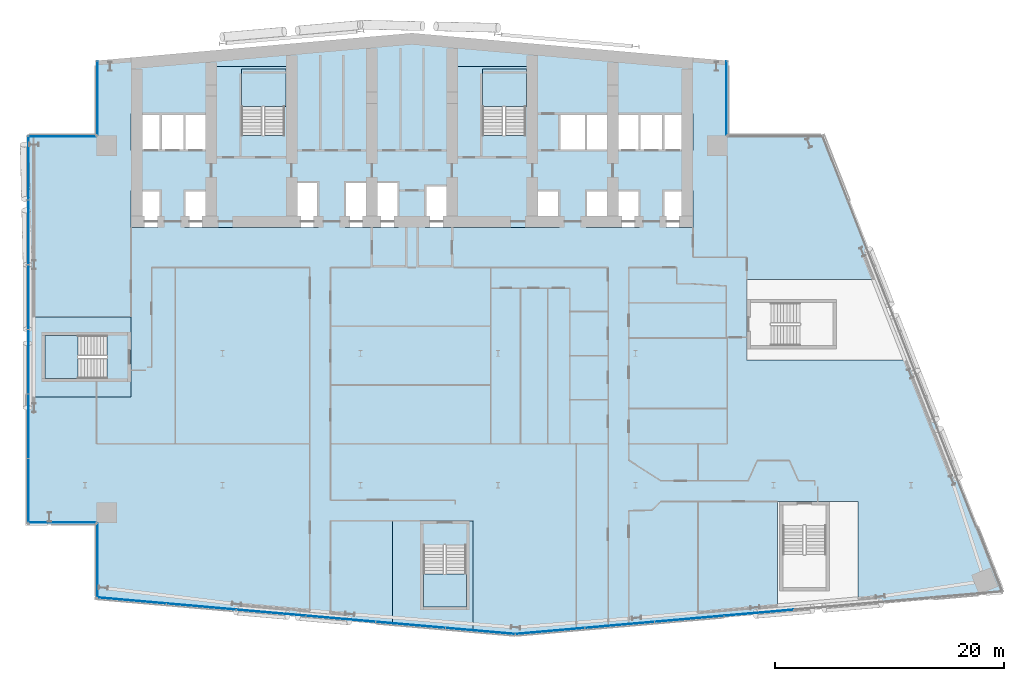
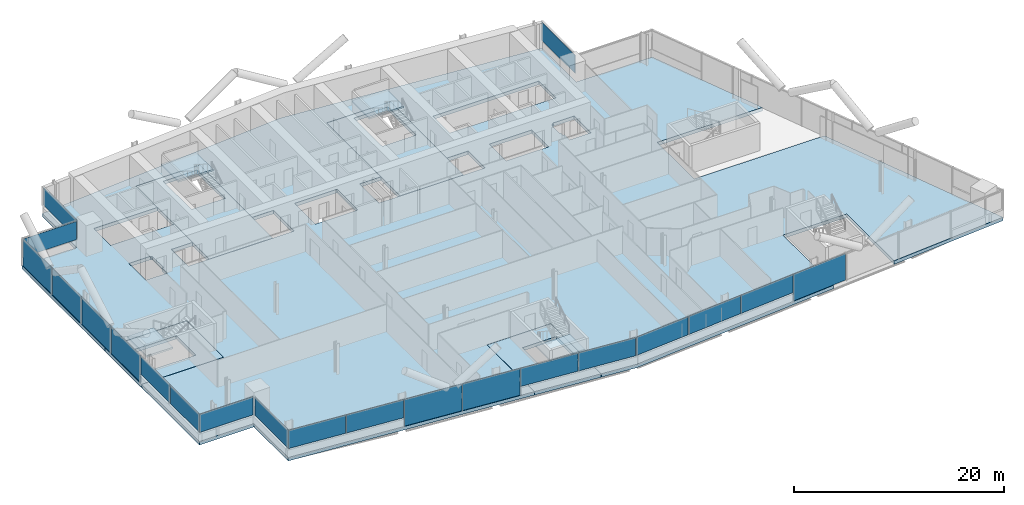
# One storey, part 12 of 27: 21 plates, 9 slabs, 12 elements without a shape of their own.
"""IFC4 building model written with IfcOpenShell, lengths in metres."""

from ifc_helpers import new_model, si_unit, direction, frame, origin, origin_2d, place, context, subcontext, project, spatial, polyline, rectangle, outline, extrude, material, layer, layer_set, type_object, element, aggregate, save


model = new_model("IFC4")

# Units and contexts
model_context = context("Model", 3, precision=1e-05, world=origin(), true_north=direction((0.0, 1.0)))
body_context = subcontext(model_context, "Body", "Model", "MODEL_VIEW")
ifc_project = project(units=[si_unit("LENGTHUNIT", "METRE"), si_unit("AREAUNIT", "SQUARE_METRE"), si_unit("VOLUMEUNIT", "CUBIC_METRE"), si_unit("PLANEANGLEUNIT", "RADIAN"), si_unit("MASSUNIT", "GRAM", prefix="KILO")], contexts=[model_context])

# Site, building, storey
site_placement = place(None, origin())
site = spatial("IfcSite", under=ifc_project, at=site_placement, CompositionType="ELEMENT")
building_placement = place(site_placement, origin())
building = spatial("IfcBuilding", under=site, at=building_placement, Name="Wharfspan Tower", CompositionType="ELEMENT")
storey_placement = place(building_placement, frame((0.0, 0.0, 118.300049)))
storey = spatial("IfcBuildingStorey", under=building, at=storey_placement, Name="L27", CompositionType="ELEMENT", Elevation=118.300049)

# Curtain wall, plates
ifc_material_1 = material(Name="Aluminium 6063-T6", Category="aluminium")
curtain_wall_type_1 = type_object("IfcCurtainWallType", Name="CURTAIN WALL FACETED FRONT", PredefinedType="NOTDEFINED", material=ifc_material_1)
curtain_wall_1_placement = place(storey_placement, origin())
curtain_wall_1 = element("IfcCurtainWall", 1, at=curtain_wall_1_placement, inside=storey, type_object=curtain_wall_type_1, Name="Curtain wall S1", PredefinedType="NOTDEFINED")
ifc_material_2 = material(Name="Glass clear low-iron double glazing", Category="glass")
ifc_layer_1 = layer(ifc_material_2, 0.040039)
ifc_layer_set_1 = layer_set([ifc_layer_1], Name="Glass clear low-iron double glazing")
plate_type_1 = type_object("IfcPlateType", Name="GLASS PANEL FACETED FRONT 40", PredefinedType="CURTAIN_PANEL", material=ifc_layer_set_1)
plate_1_placement = place(storey_placement, frame((16.061768, 1.467529, 1.0), z_axis=(0.0, 0.0, 1.0), x_axis=(0.996198, -0.087156, 0.0)))
plate_1 = element("IfcPlate", 2, at=plate_1_placement, type_object=plate_type_1, Name="Curtain wall S1 panel 1", PredefinedType="CURTAIN_PANEL", context=body_context, shape_type="SweptSolid", body=[
    extrude(rectangle(XDim=6.016602, YDim=0.040039, at=origin_2d()), origin(), (0.0, 0.0, 1.0), 2.120117),
])
plate_2_placement = place(storey_placement, frame((22.130127, 0.936523, 1.0), z_axis=(0.0, 0.0, 1.0), x_axis=(0.996198, -0.087156, 0.0)))
plate_2 = element("IfcPlate", 3, at=plate_2_placement, type_object=plate_type_1, Name="Curtain wall S1 panel 2", PredefinedType="CURTAIN_PANEL", context=body_context, shape_type="SweptSolid", body=[
    extrude(rectangle(XDim=6.046631, YDim=0.040039, at=origin_2d()), origin(), (0.0, 0.0, 1.0), 2.120117),
])
plate_3_placement = place(storey_placement, frame((40.380127, -0.660156, 1.0), z_axis=(0.0, 0.0, 1.0), x_axis=(0.996198, -0.087156, 0.0)))
plate_3 = element("IfcPlate", 4, at=plate_3_placement, type_object=plate_type_1, Name="Curtain wall S1 panel 5", PredefinedType="CURTAIN_PANEL", context=body_context, shape_type="SweptSolid", body=[
    extrude(rectangle(XDim=6.046631, YDim=0.040039, at=origin_2d()), origin(), (0.0, 0.0, 1.0), 2.120117),
])
plate_4_placement = place(storey_placement, frame((46.44873, -1.191162, 1.0), z_axis=(0.0, 0.0, 1.0), x_axis=(0.996198, -0.087156, 0.0)))
plate_4 = element("IfcPlate", 5, at=plate_4_placement, type_object=plate_type_1, Name="Curtain wall S1 panel 6", PredefinedType="CURTAIN_PANEL", context=body_context, shape_type="SweptSolid", body=[
    extrude(rectangle(XDim=6.016602, YDim=0.040039, at=origin_2d()), origin(), (0.0, 0.0, 1.0), 2.120117),
])

curtain_wall_2_placement = place(storey_placement, origin())
curtain_wall_2 = element("IfcCurtainWall", 6, at=curtain_wall_2_placement, inside=storey, type_object=curtain_wall_type_1, Name="Curtain wall S2", PredefinedType="NOTDEFINED")
plate_5_placement = place(storey_placement, frame((52.54541, -1.19165, 1.0), z_axis=(0.0, 0.0, 1.0), x_axis=(0.996198, 0.087156, 0.0)))
plate_5 = element("IfcPlate", 7, at=plate_5_placement, type_object=plate_type_1, Name="Curtain wall S2 panel 1", PredefinedType="CURTAIN_PANEL", context=body_context, shape_type="SweptSolid", body=[
    extrude(rectangle(XDim=6.004639, YDim=0.040039, at=origin_2d()), origin(), (0.0, 0.0, 1.0), 2.120117),
])
plate_6_placement = place(storey_placement, frame((58.601807, -0.661621, 1.0), z_axis=(0.0, 0.0, 1.0), x_axis=(0.996198, 0.087156, 0.0)))
plate_6 = element("IfcPlate", 8, at=plate_6_placement, type_object=plate_type_1, Name="Curtain wall S2 panel 2", PredefinedType="CURTAIN_PANEL", context=body_context, shape_type="SweptSolid", body=[
    extrude(rectangle(XDim=6.034668, YDim=0.040039, at=origin_2d()), origin(), (0.0, 0.0, 1.0), 2.120117),
])
plate_7_placement = place(storey_placement, frame((64.67334, -0.130615, 1.0), z_axis=(0.0, 0.0, 1.0), x_axis=(0.996198, 0.087156, 0.0)))
plate_7 = element("IfcPlate", 9, at=plate_7_placement, type_object=plate_type_1, Name="Curtain wall S2 panel 3", PredefinedType="CURTAIN_PANEL", context=body_context, shape_type="SweptSolid", body=[
    extrude(rectangle(XDim=6.034668, YDim=0.040039, at=origin_2d()), origin(), (0.0, 0.0, 1.0), 2.120117),
])

# Curtain wall, plate
curtain_wall_type_2 = type_object("IfcCurtainWallType", Name="CURTAIN WALL PROW AND END", PredefinedType="NOTDEFINED", material=ifc_material_1)
curtain_wall_3_placement = place(storey_placement, origin())
curtain_wall_3 = element("IfcCurtainWall", 10, at=curtain_wall_3_placement, inside=storey, type_object=curtain_wall_type_2, Name="Curtain wall NRE-V", PredefinedType="NOTDEFINED")
ifc_layer_2 = layer(ifc_material_2, 0.040039)
ifc_layer_set_2 = layer_set([ifc_layer_2], Name="Glass clear low-iron double glazing")
plate_type_2 = type_object("IfcPlateType", Name="GLASS PANEL PROW AND END 40", PredefinedType="CURTAIN_PANEL", material=ifc_layer_set_2)
plate_8_placement = place(storey_placement, frame((67.919922, 45.262451, 1.0), z_axis=(0.0, 0.0, 1.0), x_axis=(0.0, 1.0, 0.0)))
plate_8 = element("IfcPlate", 11, at=plate_8_placement, type_object=plate_type_2, Name="Curtain wall NRE-V panel 1", PredefinedType="CURTAIN_PANEL", context=body_context, shape_type="SweptSolid", body=[
    extrude(rectangle(XDim=6.405029, YDim=0.040039, at=origin_2d()), origin(), (0.0, 0.0, 1.0), 2.120117),
])
aggregate(curtain_wall_3, [plate_8])

curtain_wall_4_placement = place(storey_placement, origin())
curtain_wall_4 = element("IfcCurtainWall", 12, at=curtain_wall_4_placement, inside=storey, type_object=curtain_wall_type_2, Name="Curtain wall NRW-V", PredefinedType="NOTDEFINED")
plate_9_placement = place(storey_placement, frame((13.080078, 45.262451, 1.0), z_axis=(0.0, 0.0, 1.0), x_axis=(0.0, -1.0, 0.0)))
plate_9 = element("IfcPlate", 13, at=plate_9_placement, type_object=plate_type_2, Name="Curtain wall NRW-V panel 1", PredefinedType="CURTAIN_PANEL", context=body_context, shape_type="SweptSolid", body=[
    extrude(rectangle(XDim=6.405029, YDim=0.040039, at=origin_2d()), origin(), (0.0, 0.0, 1.0), 2.120117),
])
aggregate(curtain_wall_4, [plate_9])

curtain_wall_5_placement = place(storey_placement, origin())
curtain_wall_5 = element("IfcCurtainWall", 14, at=curtain_wall_5_placement, inside=storey, type_object=curtain_wall_type_2, Name="Curtain wall NRW-H", PredefinedType="NOTDEFINED")
plate_10_placement = place(storey_placement, frame((10.0, 41.919922, 1.0), z_axis=(0.0, 0.0, 1.0), x_axis=(-1.0, 0.0, 0.0)))
plate_10 = element("IfcPlate", 15, at=plate_10_placement, type_object=plate_type_2, Name="Curtain wall NRW-H panel 1", PredefinedType="CURTAIN_PANEL", context=body_context, shape_type="SweptSolid", body=[
    extrude(rectangle(XDim=5.879883, YDim=0.040039, at=origin_2d()), origin(), (0.0, 0.0, 1.0), 2.120117),
])
aggregate(curtain_wall_5, [plate_10])

# Curtain wall, plates
curtain_wall_6_placement = place(storey_placement, origin())
curtain_wall_6 = element("IfcCurtainWall", 16, at=curtain_wall_6_placement, inside=storey, type_object=curtain_wall_type_2, Name="Curtain wall W", PredefinedType="NOTDEFINED")
plate_11_placement = place(storey_placement, frame((7.080078, 16.649902, 1.0), z_axis=(0.0, 0.0, 1.0), x_axis=(0.0, -1.0, 0.0)))
plate_11 = element("IfcPlate", 17, at=plate_11_placement, type_object=plate_type_2, Name="Curtain wall W panel 5", PredefinedType="CURTAIN_PANEL", context=body_context, shape_type="SweptSolid", body=[
    extrude(rectangle(XDim=5.573242, YDim=0.040039, at=origin_2d()), origin(), (0.0, 0.0, 1.0), 2.120117),
])
plate_12_placement = place(storey_placement, frame((7.080078, 11.031738, 1.0), z_axis=(0.0, 0.0, 1.0), x_axis=(0.0, -1.0, 0.0)))
plate_12 = element("IfcPlate", 18, at=plate_12_placement, type_object=plate_type_2, Name="Curtain wall W panel 6", PredefinedType="CURTAIN_PANEL", context=body_context, shape_type="SweptSolid", body=[
    extrude(rectangle(XDim=5.543213, YDim=0.040039, at=origin_2d()), origin(), (0.0, 0.0, 1.0), 2.120117),
])

# Curtain wall, plate
curtain_wall_7_placement = place(storey_placement, origin())
curtain_wall_7 = element("IfcCurtainWall", 19, at=curtain_wall_7_placement, inside=storey, type_object=curtain_wall_type_2, Name="Curtain wall NFW-H", PredefinedType="NOTDEFINED")
plate_13_placement = place(storey_placement, frame((10.0, 8.280029, 1.0), z_axis=(0.0, 0.0, 1.0), x_axis=(1.0, 0.0, 0.0)))
plate_13 = element("IfcPlate", 20, at=plate_13_placement, type_object=plate_type_2, Name="Curtain wall NFW-H panel 1", PredefinedType="CURTAIN_PANEL", context=body_context, shape_type="SweptSolid", body=[
    extrude(rectangle(XDim=5.879883, YDim=0.040039, at=origin_2d()), origin(), (0.0, 0.0, 1.0), 2.120117),
])
aggregate(curtain_wall_7, [plate_13])

curtain_wall_8_placement = place(storey_placement, origin())
curtain_wall_8 = element("IfcCurtainWall", 21, at=curtain_wall_8_placement, inside=storey, type_object=curtain_wall_type_2, Name="Curtain wall NFW-V", PredefinedType="NOTDEFINED")
plate_14_placement = place(storey_placement, frame((13.080078, 4.9375, 1.0), z_axis=(0.0, 0.0, 1.0), x_axis=(0.0, -1.0, 0.0)))
plate_14 = element("IfcPlate", 22, at=plate_14_placement, type_object=plate_type_2, Name="Curtain wall NFW-V panel 1", PredefinedType="CURTAIN_PANEL", context=body_context, shape_type="SweptSolid", body=[
    extrude(rectangle(XDim=6.405029, YDim=0.040039, at=origin_2d()), origin(), (0.0, 0.0, 1.0), 2.120117),
])
aggregate(curtain_wall_8, [plate_14])

# Plate
ifc_material_3 = material(Name="Aluminium composite opaque insulated panel", Category="aluminium")
ifc_layer_3 = layer(ifc_material_3, 0.040039)
ifc_layer_set_3 = layer_set([ifc_layer_3], Name="Aluminium composite opaque insulated panel")
plate_type_3 = type_object("IfcPlateType", Name="INFILL PANEL FACETED FRONT OPAQUE 40", PredefinedType="SHEET", material=ifc_layer_set_3)
plate_15_placement = place(storey_placement, frame((28.213623, 0.404297, 0.0), z_axis=(0.0, 0.0, 1.0), x_axis=(0.996198, -0.087156, 0.0)))
plate_15 = element("IfcPlate", 23, at=plate_15_placement, type_object=plate_type_3, Name="Curtain wall S1 panel 3", PredefinedType="SHEET", context=body_context, shape_type="SweptSolid", body=[
    extrude(rectangle(XDim=6.046631, YDim=0.040039, at=origin_2d()), origin(), (0.0, 0.0, 1.0), 3.120117),
])

plate_16_placement = place(storey_placement, frame((34.296875, -0.12793, 0.0), z_axis=(0.0, 0.0, 1.0), x_axis=(0.996198, -0.087156, 0.0)))
plate_16 = element("IfcPlate", 24, at=plate_16_placement, type_object=plate_type_3, Name="Curtain wall S1 panel 4", PredefinedType="SHEET", context=body_context, shape_type="SweptSolid", body=[
    extrude(rectangle(XDim=6.046631, YDim=0.040039, at=origin_2d()), origin(), (0.0, 0.0, 1.0), 3.120117),
])

aggregate(curtain_wall_1, [plate_1, plate_2, plate_15, plate_16, plate_3, plate_4])

plate_17_placement = place(storey_placement, frame((70.744873, 0.400635, 0.0), z_axis=(0.0, 0.0, 1.0), x_axis=(0.996198, 0.087156, 0.0)))
plate_17 = element("IfcPlate", 25, at=plate_17_placement, type_object=plate_type_3, Name="Curtain wall S2 panel 4", PredefinedType="SHEET", context=body_context, shape_type="SweptSolid", body=[
    extrude(rectangle(XDim=6.034668, YDim=0.040039, at=origin_2d()), origin(), (0.0, 0.0, 1.0), 3.120117),
])

aggregate(curtain_wall_2, [plate_5, plate_6, plate_7, plate_17])

ifc_layer_4 = layer(ifc_material_3, 0.040039)
ifc_layer_set_4 = layer_set([ifc_layer_4], Name="Aluminium composite opaque insulated panel")
plate_type_4 = type_object("IfcPlateType", Name="INFILL PANEL PROW AND END OPAQUE 40", PredefinedType="SHEET", material=ifc_layer_set_4)
plate_18_placement = place(storey_placement, frame((7.080078, 39.168213, 0.0), z_axis=(0.0, 0.0, 1.0), x_axis=(0.0, -1.0, 0.0)))
plate_18 = element("IfcPlate", 26, at=plate_18_placement, type_object=plate_type_4, Name="Curtain wall W panel 1", PredefinedType="SHEET", context=body_context, shape_type="SweptSolid", body=[
    extrude(rectangle(XDim=5.543213, YDim=0.040039, at=origin_2d()), origin(), (0.0, 0.0, 1.0), 3.120117),
])

plate_19_placement = place(storey_placement, frame((7.080078, 33.550049, 0.0), z_axis=(0.0, 0.0, 1.0), x_axis=(0.0, -1.0, 0.0)))
plate_19 = element("IfcPlate", 27, at=plate_19_placement, type_object=plate_type_4, Name="Curtain wall W panel 2", PredefinedType="SHEET", context=body_context, shape_type="SweptSolid", body=[
    extrude(rectangle(XDim=5.573242, YDim=0.040039, at=origin_2d()), origin(), (0.0, 0.0, 1.0), 3.120117),
])

plate_20_placement = place(storey_placement, frame((7.080078, 27.916748, 0.0), z_axis=(0.0, 0.0, 1.0), x_axis=(0.0, -1.0, 0.0)))
plate_20 = element("IfcPlate", 28, at=plate_20_placement, type_object=plate_type_4, Name="Curtain wall W panel 3", PredefinedType="SHEET", context=body_context, shape_type="SweptSolid", body=[
    extrude(rectangle(XDim=5.573242, YDim=0.040039, at=origin_2d()), origin(), (0.0, 0.0, 1.0), 3.120117),
])

plate_21_placement = place(storey_placement, frame((7.080078, 22.283447, 0.0), z_axis=(0.0, 0.0, 1.0), x_axis=(0.0, -1.0, 0.0)))
plate_21 = element("IfcPlate", 29, at=plate_21_placement, type_object=plate_type_4, Name="Curtain wall W panel 4", PredefinedType="SHEET", context=body_context, shape_type="SweptSolid", body=[
    extrude(rectangle(XDim=5.573242, YDim=0.040039, at=origin_2d()), origin(), (0.0, 0.0, 1.0), 3.120117),
])

aggregate(curtain_wall_6, [plate_18, plate_19, plate_20, plate_21, plate_11, plate_12])

# Slabs
ifc_material_4 = material(Name="Concrete C40/50", Category="concrete")
ifc_layer_5 = layer(ifc_material_4, 0.399902)
ifc_layer_set_5 = layer_set([ifc_layer_5], Name="Concrete C40/50")
slab_type_1 = type_object("IfcSlabType", Name="Post-tensioned flat slab 400", PredefinedType="FLOOR", material=ifc_layer_set_5)
slab_1_placement = place(storey_placement, frame((0.0, 0.0, -0.400146)))
element("IfcSlab", 30, at=slab_1_placement, inside=storey, type_object=slab_type_1, Name="Floor slab L27", PredefinedType="FLOOR", context=body_context, shape_type="SweptSolid", body=[
    extrude(outline(polyline([(38.800293, -0.582275), (38.800293, 8.427002), (45.820312, 8.427002), (45.820312, -1.196289), (49.5, -1.518311), (72.355957, 0.481445), (72.355957, 10.104736), (79.375977, 10.104736), (79.375977, 1.095459), (92.0, 2.199951), (84.04541, 22.439941), (69.68042, 22.439941), (69.68042, 29.459961), (81.286621, 29.459961), (76.358154, 42.0), (68.0, 42.0), (68.0, 48.524902), (40.5, 50.930908), (13.0, 48.524902), (13.0, 42.0), (7.0, 42.0), (7.0, 26.209961), (16.01001, 26.209961), (16.01001, 19.189941), (7.0, 19.189941), (7.0, 8.199951), (13.0, 8.199951), (13.0, 1.675049), (38.800293, -0.582275)]), holes=[polyline([(62.48999, 35.389893), (62.36499, 35.389893), (62.36499, 36.909912), (62.48999, 36.909912), (62.48999, 37.110107), (62.656738, 37.110107), (62.656738, 37.209961), (65.01001, 37.209961), (65.01001, 33.98999), (62.656738, 33.98999), (62.656738, 34.98999), (62.48999, 34.98999), (62.48999, 35.389893)]), polyline([(65.01001, 43.909912), (65.01001, 40.689941), (53.323242, 40.689941), (53.323242, 43.909912), (65.01001, 43.909912)]), polyline([(55.656738, 33.98999), (55.656738, 37.209961), (60.343262, 37.209961), (60.343262, 33.98999), (55.656738, 33.98999)]), polyline([(43.98999, 37.659912), (43.98999, 48.01001), (51.01001, 48.01001), (51.01001, 37.209961), (53.343262, 37.209961), (53.343262, 33.98999), (41.656738, 33.98999), (41.656738, 37.659912), (43.98999, 37.659912)]), polyline([(34.656738, 33.98999), (34.656738, 37.959961), (39.343262, 37.959961), (39.343262, 33.98999), (34.656738, 33.98999)]), polyline([(20.656738, 37.209961), (22.98999, 37.209961), (22.98999, 40.689941), (20.676758, 40.689941), (20.656738, 40.689941), (15.98999, 40.689941), (15.98999, 43.909912), (20.656738, 43.909912), (20.676758, 43.909912), (22.98999, 43.909912), (22.98999, 48.01001), (30.01001, 48.01001), (30.01001, 37.959961), (32.343262, 37.959961), (32.343262, 33.98999), (20.656738, 33.98999), (20.656738, 37.209961)]), polyline([(18.51001, 34.98999), (18.343262, 34.98999), (18.343262, 33.98999), (15.98999, 33.98999), (15.98999, 37.209961), (18.343262, 37.209961), (18.343262, 37.110107), (18.51001, 37.110107), (18.51001, 34.98999)])]), origin(), (0.0, 0.0, 1.0), 0.400146),
])
slab_2_placement = place(storey_placement, frame((0.0, 0.0, -0.400146)))
element("IfcSlab", 31, at=slab_2_placement, inside=storey, type_object=slab_type_1, Name="Core floor slab L27 part 1", PredefinedType="FLOOR", context=body_context, shape_type="SweptSolid", body=[
    extrude(outline(polyline([(16.0, 20.524902), (16.0, 24.875), (16.0, 26.199951), (7.0, 26.199951), (7.0, 19.199951), (16.0, 19.199951), (16.0, 20.524902)]), holes=[polyline([(13.9021, 20.824951), (13.9021, 20.824707), (13.9021, 20.824707), (13.901855, 20.824463), (13.901855, 20.824219), (13.901855, 20.824219), (13.901611, 20.823975), (13.901611, 20.82373), (13.901367, 20.823486), (13.901367, 20.823486), (13.901123, 20.823242), (13.900879, 20.823242), (13.900879, 20.823242), (13.900635, 20.822998), (13.900391, 20.822998), (13.900146, 20.822998), (13.899902, 20.822998), (8.5, 20.822998), (8.499756, 20.822998), (8.499512, 20.822998), (8.499512, 20.822998), (8.499268, 20.823242), (8.499023, 20.823242), (8.498779, 20.823242), (8.498779, 20.823486), (8.498535, 20.823486), (8.498535, 20.82373), (8.498291, 20.823975), (8.498291, 20.824219), (8.498291, 20.824219), (8.498047, 20.824463), (8.498047, 20.824707), (8.498047, 20.824707), (8.498047, 20.824951), (8.498047, 24.574951), (8.498047, 24.575195), (8.498047, 24.575439), (8.498047, 24.575684), (8.498291, 24.575684), (8.498291, 24.575928), (8.498291, 24.576172), (8.498535, 24.576416), (8.498535, 24.576416), (8.498779, 24.576416), (8.498779, 24.57666), (8.499023, 24.576904), (8.499268, 24.576904), (8.499512, 24.576904), (8.499512, 24.576904), (8.499756, 24.576904), (8.5, 24.576904), (13.899902, 24.576904), (13.900146, 24.576904), (13.900391, 24.576904), (13.900635, 24.576904), (13.900879, 24.576904), (13.900879, 24.576904), (13.901123, 24.57666), (13.901367, 24.576416), (13.901367, 24.576416), (13.901611, 24.576416), (13.901611, 24.576172), (13.901855, 24.575928), (13.901855, 24.575684), (13.901855, 24.575684), (13.9021, 24.575439), (13.9021, 24.575195), (13.9021, 24.574951), (13.9021, 20.824951)])]), origin(), (0.0, 0.0, 1.0), 0.400146),
])
slab_3_placement = place(storey_placement, frame((0.0, 0.0, -0.400146)))
element("IfcSlab", 32, at=slab_3_placement, inside=storey, type_object=slab_type_1, Name="Core floor slab L27 part 2", PredefinedType="FLOOR", context=body_context, shape_type="SweptSolid", body=[
    extrude(outline(polyline([(20.664795, 34.0), (20.664795, 37.199951), (20.664795, 37.200195), (20.664795, 37.200439), (20.664795, 37.200684), (20.664795, 37.200684), (20.664795, 37.200928), (20.665039, 37.201172), (20.665039, 37.201416), (20.665283, 37.201416), (20.665283, 37.201416), (20.665527, 37.20166), (20.665771, 37.201904), (20.666016, 37.201904), (20.666016, 37.201904), (20.66626, 37.201904), (20.666504, 37.201904), (20.666748, 37.201904), (23.0, 37.201904), (23.000244, 37.201904), (23.000488, 37.201904), (23.000488, 37.201904), (23.000732, 37.201904), (23.000977, 37.201904), (23.001221, 37.20166), (23.001221, 37.201416), (23.001465, 37.201416), (23.001465, 37.201416), (23.001709, 37.201172), (23.001709, 37.200928), (23.001709, 37.200684), (23.001953, 37.200684), (23.001953, 37.200439), (23.001953, 37.200195), (23.001953, 37.199951), (23.001953, 34.0), (29.998047, 34.0), (29.998047, 37.949951), (29.998047, 37.950195), (29.998047, 37.950439), (29.998047, 37.950684), (29.998291, 37.950684), (29.998291, 37.950928), (29.998291, 37.951172), (29.998535, 37.951416), (29.998535, 37.951416), (29.998779, 37.951416), (29.998779, 37.95166), (29.999023, 37.951904), (29.999268, 37.951904), (29.999512, 37.951904), (29.999512, 37.951904), (29.999756, 37.951904), (30.0, 37.951904), (32.333252, 37.951904), (32.333496, 37.951904), (32.33374, 37.951904), (32.333984, 37.951904), (32.333984, 37.951904), (32.334229, 37.951904), (32.334473, 37.95166), (32.334717, 37.951416), (32.334717, 37.951416), (32.334961, 37.951416), (32.334961, 37.951172), (32.335205, 37.950928), (32.335205, 37.950684), (32.335205, 37.950684), (32.335205, 37.950439), (32.335205, 37.950195), (32.335205, 37.949951), (32.335205, 34.0), (32.341309, 34.0), (32.341309, 37.958008), (30.01001, 37.958008), (30.009766, 37.958008), (30.009521, 37.958008), (30.009521, 37.958008), (30.009277, 37.958252), (30.009033, 37.958252), (30.008789, 37.958252), (30.008789, 37.958496), (30.008545, 37.958496), (30.008545, 37.95874), (30.008301, 37.958984), (30.008301, 37.958984), (30.008301, 37.959229), (30.008057, 37.959473), (30.008057, 37.959717), (30.008057, 37.959717), (30.008057, 37.959961), (30.008057, 48.008057), (22.991943, 48.008057), (22.991943, 43.909912), (22.991943, 43.909912), (22.991943, 43.909668), (22.991943, 43.909424), (22.991699, 43.90918), (22.991699, 43.90918), (22.991699, 43.908936), (22.991455, 43.908691), (22.991455, 43.908691), (22.991211, 43.908447), (22.991211, 43.908203), (22.990967, 43.908203), (22.990723, 43.908203), (22.990479, 43.908203), (22.990479, 43.907959), (22.990234, 43.907959), (22.98999, 43.907959), (16.0, 43.907959), (16.0, 43.9021), (20.666748, 43.9021), (20.666748, 43.9021), (23.0, 43.9021), (23.000244, 43.9021), (23.000488, 43.9021), (23.000488, 43.901855), (23.000732, 43.901855), (23.000977, 43.901855), (23.001221, 43.901611), (23.001221, 43.901611), (23.001465, 43.901367), (23.001465, 43.901367), (23.001709, 43.901123), (23.001709, 43.900879), (23.001709, 43.900879), (23.001953, 43.900635), (23.001953, 43.900391), (23.001953, 43.900146), (23.001953, 43.899902), (23.001953, 40.699951), (23.001953, 40.699707), (23.001953, 40.699707), (23.001953, 40.699463), (23.001709, 40.699219), (23.001709, 40.699219), (23.001709, 40.698975), (23.001465, 40.69873), (23.001465, 40.698486), (23.001221, 40.698486), (23.001221, 40.698242), (23.000977, 40.698242), (23.000732, 40.698242), (23.000488, 40.697998), (23.000488, 40.697998), (23.000244, 40.697998), (23.0, 40.697998), (20.666748, 40.697998), (20.666748, 40.697998), (16.0, 40.697998), (16.0, 40.691895), (22.98999, 40.691895), (22.990234, 40.691895), (22.990479, 40.691895), (22.990479, 40.691895), (22.990723, 40.691895), (22.990967, 40.691895), (22.991211, 40.69165), (22.991211, 40.691406), (22.991455, 40.691406), (22.991455, 40.691406), (22.991699, 40.691162), (22.991699, 40.690918), (22.991699, 40.690918), (22.991943, 40.690674), (22.991943, 40.69043), (22.991943, 40.690186), (22.991943, 40.689941), (22.991943, 37.209961), (22.991943, 37.209717), (22.991943, 37.209717), (22.991943, 37.209473), (22.991699, 37.209229), (22.991699, 37.208984), (22.991699, 37.208984), (22.991455, 37.20874), (22.991455, 37.208496), (22.991211, 37.208496), (22.991211, 37.208252), (22.990967, 37.208252), (22.990723, 37.208252), (22.990479, 37.208008), (22.990479, 37.208008), (22.990234, 37.208008), (22.98999, 37.208008), (20.658691, 37.208008), (20.658691, 34.0), (20.664795, 34.0)]), holes=[polyline([(25.649902, 41.998047), (25.649902, 41.998047), (25.649658, 41.998047), (25.649414, 41.998047), (25.64917, 41.998291), (25.64917, 41.998291), (25.648926, 41.998291), (25.648682, 41.998535), (25.648682, 41.998535), (25.648438, 41.998779), (25.648193, 41.998779), (25.648193, 41.999023), (25.648193, 41.999268), (25.648193, 41.999512), (25.647949, 41.999512), (25.647949, 41.999756), (25.647949, 42.0), (25.647949, 47.399902), (25.647949, 47.400146), (25.647949, 47.400391), (25.648193, 47.400635), (25.648193, 47.400879), (25.648193, 47.400879), (25.648193, 47.401123), (25.648438, 47.401367), (25.648682, 47.401367), (25.648682, 47.401611), (25.648926, 47.401611), (25.64917, 47.401855), (25.64917, 47.401855), (25.649414, 47.401855), (25.649658, 47.4021), (25.649902, 47.4021), (25.649902, 47.4021), (29.399902, 47.4021), (29.400146, 47.4021), (29.400391, 47.4021), (29.400635, 47.401855), (29.400879, 47.401855), (29.400879, 47.401855), (29.401123, 47.401611), (29.401367, 47.401611), (29.401367, 47.401367), (29.401611, 47.401367), (29.401611, 47.401123), (29.401855, 47.400879), (29.401855, 47.400879), (29.401855, 47.400635), (29.4021, 47.400391), (29.4021, 47.400146), (29.4021, 47.399902), (29.4021, 42.0), (29.4021, 41.999756), (29.4021, 41.999512), (29.401855, 41.999512), (29.401855, 41.999268), (29.401855, 41.999023), (29.401611, 41.998779), (29.401611, 41.998779), (29.401367, 41.998535), (29.401367, 41.998535), (29.401123, 41.998291), (29.400879, 41.998291), (29.400879, 41.998291), (29.400635, 41.998047), (29.400391, 41.998047), (29.400146, 41.998047), (29.399902, 41.998047), (25.649902, 41.998047)])]), origin(), (0.0, 0.0, 1.0), 0.400146),
])
slab_4_placement = place(storey_placement, frame((0.0, 0.0, -0.400146)))
element("IfcSlab", 33, at=slab_4_placement, inside=storey, type_object=slab_type_1, Name="Core floor slab L27 part 3", PredefinedType="FLOOR", context=body_context, shape_type="SweptSolid", body=[
    extrude(outline(polyline([(45.5354, 8.416992), (41.185303, 8.416992), (38.810303, 8.416992), (38.810303, -0.583008), (45.810303, -1.195557), (45.810303, 8.416992), (45.5354, 8.416992)]), holes=[polyline([(41.483398, 6.316895), (41.483398, 6.317139), (41.483398, 6.317383), (41.483398, 6.317383), (41.483398, 6.317627), (41.483398, 6.317871), (41.483643, 6.318115), (41.483643, 6.318115), (41.483887, 6.318359), (41.483887, 6.318604), (41.484131, 6.318604), (41.484375, 6.318604), (41.484619, 6.318848), (41.484619, 6.318848), (41.484863, 6.318848), (41.485107, 6.319092), (41.485352, 6.319092), (45.235352, 6.319092), (45.235596, 6.319092), (45.235596, 6.318848), (45.23584, 6.318848), (45.236084, 6.318848), (45.236084, 6.318604), (45.236328, 6.318604), (45.236572, 6.318604), (45.236816, 6.318359), (45.236816, 6.318115), (45.236816, 6.318115), (45.237061, 6.317871), (45.237061, 6.317627), (45.237305, 6.317383), (45.237305, 6.317383), (45.237305, 6.317139), (45.237305, 6.316895), (45.237305, 0.916992), (45.237305, 0.916748), (45.237305, 0.916504), (45.237305, 0.916504), (45.237061, 0.91626), (45.237061, 0.916016), (45.236816, 0.916016), (45.236816, 0.915771), (45.236816, 0.915527), (45.236572, 0.915283), (45.236328, 0.915283), (45.236084, 0.915283), (45.236084, 0.915039), (45.23584, 0.915039), (45.235596, 0.915039), (45.235596, 0.915039), (45.235352, 0.915039), (41.485352, 0.915039), (41.485107, 0.915039), (41.484863, 0.915039), (41.484619, 0.915039), (41.484619, 0.915039), (41.484375, 0.915283), (41.484131, 0.915283), (41.483887, 0.915283), (41.483887, 0.915527), (41.483643, 0.915771), (41.483643, 0.916016), (41.483398, 0.916016), (41.483398, 0.91626), (41.483398, 0.916504), (41.483398, 0.916504), (41.483398, 0.916748), (41.483398, 0.916992), (41.483398, 6.316895)])]), origin(), (0.0, 0.0, 1.0), 0.400146),
])
slab_5_placement = place(storey_placement, frame((0.0, 0.0, -0.400146)))
element("IfcSlab", 34, at=slab_5_placement, inside=storey, type_object=slab_type_1, Name="Core floor slab L27 part 4", PredefinedType="FLOOR", context=body_context, shape_type="SweptSolid", body=[
    extrude(outline(polyline([(53.341309, 34.0), (53.341309, 37.208008), (51.01001, 37.208008), (51.009766, 37.208008), (51.009521, 37.208008), (51.009521, 37.208008), (51.009277, 37.208252), (51.009033, 37.208252), (51.008789, 37.208252), (51.008789, 37.208496), (51.008545, 37.208496), (51.008545, 37.20874), (51.008301, 37.208984), (51.008301, 37.208984), (51.008301, 37.209229), (51.008057, 37.209473), (51.008057, 37.209717), (51.008057, 37.209717), (51.008057, 37.209961), (51.008057, 48.008057), (43.991943, 48.008057), (43.991943, 37.659912), (43.991943, 37.659912), (43.991943, 37.659668), (43.991943, 37.659424), (43.991699, 37.65918), (43.991699, 37.65918), (43.991699, 37.658936), (43.991455, 37.658691), (43.991455, 37.658691), (43.991211, 37.658447), (43.991211, 37.658203), (43.990967, 37.658203), (43.990723, 37.658203), (43.990479, 37.658203), (43.990479, 37.657959), (43.990234, 37.657959), (43.98999, 37.657959), (41.658691, 37.657959), (41.658691, 34.0), (41.664795, 34.0), (41.664795, 37.649902), (41.664795, 37.650146), (41.664795, 37.650391), (41.664795, 37.650635), (41.664795, 37.650879), (41.664795, 37.650879), (41.665039, 37.651123), (41.665039, 37.651367), (41.665283, 37.651367), (41.665283, 37.651611), (41.665527, 37.651611), (41.665771, 37.651855), (41.666016, 37.651855), (41.666016, 37.651855), (41.66626, 37.6521), (41.666504, 37.6521), (41.666748, 37.6521), (44.0, 37.6521), (44.000244, 37.6521), (44.000488, 37.6521), (44.000488, 37.651855), (44.000732, 37.651855), (44.000977, 37.651855), (44.001221, 37.651611), (44.001221, 37.651611), (44.001465, 37.651367), (44.001465, 37.651367), (44.001709, 37.651123), (44.001709, 37.650879), (44.001709, 37.650879), (44.001953, 37.650635), (44.001953, 37.650391), (44.001953, 37.650146), (44.001953, 37.649902), (44.001953, 34.0), (50.998047, 34.0), (50.998047, 37.199951), (50.998047, 37.200195), (50.998047, 37.200439), (50.998047, 37.200684), (50.998291, 37.200684), (50.998291, 37.200928), (50.998291, 37.201172), (50.998535, 37.201416), (50.998535, 37.201416), (50.998779, 37.201416), (50.998779, 37.20166), (50.999023, 37.201904), (50.999268, 37.201904), (50.999512, 37.201904), (50.999512, 37.201904), (50.999756, 37.201904), (51.0, 37.201904), (53.333252, 37.201904), (53.333496, 37.201904), (53.33374, 37.201904), (53.333984, 37.201904), (53.333984, 37.201904), (53.334229, 37.201904), (53.334473, 37.20166), (53.334717, 37.201416), (53.334717, 37.201416), (53.334961, 37.201416), (53.334961, 37.201172), (53.335205, 37.200928), (53.335205, 37.200684), (53.335205, 37.200684), (53.335205, 37.200439), (53.335205, 37.200195), (53.335205, 37.199951), (53.335205, 34.0), (53.341309, 34.0)]), holes=[polyline([(50.4021, 42.0), (50.4021, 41.999756), (50.4021, 41.999512), (50.401855, 41.999512), (50.401855, 41.999268), (50.401855, 41.999023), (50.401611, 41.998779), (50.401611, 41.998779), (50.401367, 41.998535), (50.401367, 41.998535), (50.401123, 41.998291), (50.400879, 41.998291), (50.400879, 41.998291), (50.400635, 41.998047), (50.400391, 41.998047), (50.400146, 41.998047), (50.399902, 41.998047), (46.649902, 41.998047), (46.649902, 41.998047), (46.649658, 41.998047), (46.649414, 41.998047), (46.64917, 41.998291), (46.64917, 41.998291), (46.648926, 41.998291), (46.648682, 41.998535), (46.648682, 41.998535), (46.648438, 41.998779), (46.648193, 41.998779), (46.648193, 41.999023), (46.648193, 41.999268), (46.648193, 41.999512), (46.647949, 41.999512), (46.647949, 41.999756), (46.647949, 42.0), (46.647949, 47.399902), (46.647949, 47.400146), (46.647949, 47.400391), (46.648193, 47.400635), (46.648193, 47.400879), (46.648193, 47.400879), (46.648193, 47.401123), (46.648438, 47.401367), (46.648682, 47.401367), (46.648682, 47.401611), (46.648926, 47.401611), (46.64917, 47.401855), (46.64917, 47.401855), (46.649414, 47.401855), (46.649658, 47.4021), (46.649902, 47.4021), (46.649902, 47.4021), (50.399902, 47.4021), (50.400146, 47.4021), (50.400391, 47.4021), (50.400635, 47.401855), (50.400879, 47.401855), (50.400879, 47.401855), (50.401123, 47.401611), (50.401367, 47.401611), (50.401367, 47.401367), (50.401611, 47.401367), (50.401611, 47.401123), (50.401855, 47.400879), (50.401855, 47.400879), (50.401855, 47.400635), (50.4021, 47.400391), (50.4021, 47.400146), (50.4021, 47.399902), (50.4021, 42.0)])]), origin(), (0.0, 0.0, 1.0), 0.400146),
])

# Stair, slab
stair_type = type_object("IfcStairType", Name="Half-turn stair 20 risers 180 mm", PredefinedType="HALF_TURN_STAIR", material=ifc_material_4)
stair_1_placement = place(storey_placement, origin())
stair_1 = element("IfcStair", 35, at=stair_1_placement, inside=storey, type_object=stair_type, Name="L27 stair ST1", PredefinedType="HALF_TURN_STAIR")
ifc_layer_6 = layer(ifc_material_4, 0.199951)
ifc_layer_set_6 = layer_set([ifc_layer_6], Name="Concrete C40/50")
slab_type_2 = type_object("IfcSlabType", Name="Stair landing 200", PredefinedType="LANDING", material=ifc_layer_set_6)
slab_6_placement = place(storey_placement, frame((0.0, 0.0, 1.599854)))
slab_6 = element("IfcSlab", 36, at=slab_6_placement, type_object=slab_type_2, Name="ST1 landing 1", PredefinedType="LANDING", context=body_context, shape_type="SweptSolid", body=[
    extrude(outline(polyline([(25.649902, 44.52002), (29.5, 44.52002), (29.5, 47.783691), (25.649902, 47.783691), (25.649902, 44.52002)])), origin(), (0.0, 0.0, 1.0), 0.200195),
])
aggregate(stair_1, [slab_6])

stair_2_placement = place(storey_placement, origin())
stair_2 = element("IfcStair", 37, at=stair_2_placement, inside=storey, type_object=stair_type, Name="L27 stair ST2", PredefinedType="HALF_TURN_STAIR")
slab_7_placement = place(storey_placement, frame((0.0, 0.0, 1.599854)))
slab_7 = element("IfcSlab", 38, at=slab_7_placement, type_object=slab_type_2, Name="ST2 landing 1", PredefinedType="LANDING", context=body_context, shape_type="SweptSolid", body=[
    extrude(outline(polyline([(46.649902, 44.52002), (50.5, 44.52002), (50.5, 47.783691), (46.649902, 47.783691), (46.649902, 44.52002)])), origin(), (0.0, 0.0, 1.0), 0.200195),
])
aggregate(stair_2, [slab_7])

stair_3_placement = place(storey_placement, origin())
stair_3 = element("IfcStair", 39, at=stair_3_placement, inside=storey, type_object=stair_type, Name="L27 stair ST3", PredefinedType="HALF_TURN_STAIR")
slab_8_placement = place(storey_placement, frame((0.0, 0.0, 1.599854)))
slab_8 = element("IfcSlab", 40, at=slab_8_placement, type_object=slab_type_2, Name="ST3 landing 1", PredefinedType="LANDING", context=body_context, shape_type="SweptSolid", body=[
    extrude(outline(polyline([(11.379883, 24.574951), (8.5, 24.574951), (8.5, 20.824951), (11.379883, 20.824951), (11.379883, 24.574951)])), origin(), (0.0, 0.0, 1.0), 0.200195),
])
aggregate(stair_3, [slab_8])

stair_4_placement = place(storey_placement, origin())
stair_4 = element("IfcStair", 41, at=stair_4_placement, inside=storey, type_object=stair_type, Name="L27 stair ST4", PredefinedType="HALF_TURN_STAIR")
slab_9_placement = place(storey_placement, frame((0.0, 0.0, 1.599854)))
slab_9 = element("IfcSlab", 42, at=slab_9_placement, type_object=slab_type_2, Name="ST4 landing 1", PredefinedType="LANDING", context=body_context, shape_type="SweptSolid", body=[
    extrude(outline(polyline([(41.485352, 3.796875), (41.485352, 0.916992), (45.235352, 0.916992), (45.235352, 3.796875), (41.485352, 3.796875)])), origin(), (0.0, 0.0, 1.0), 0.200195),
])
aggregate(stair_4, [slab_9])

save(model, "model.ifc")
